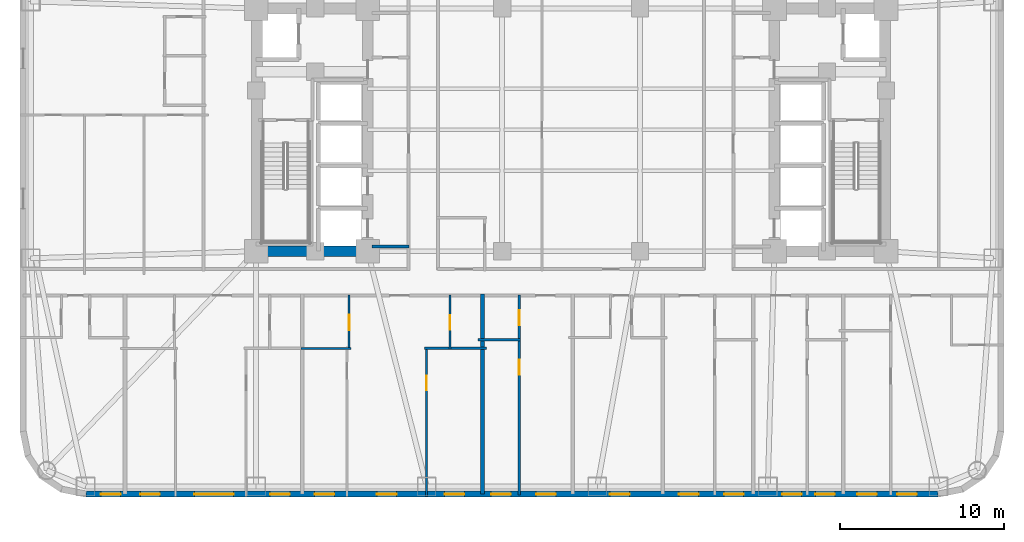
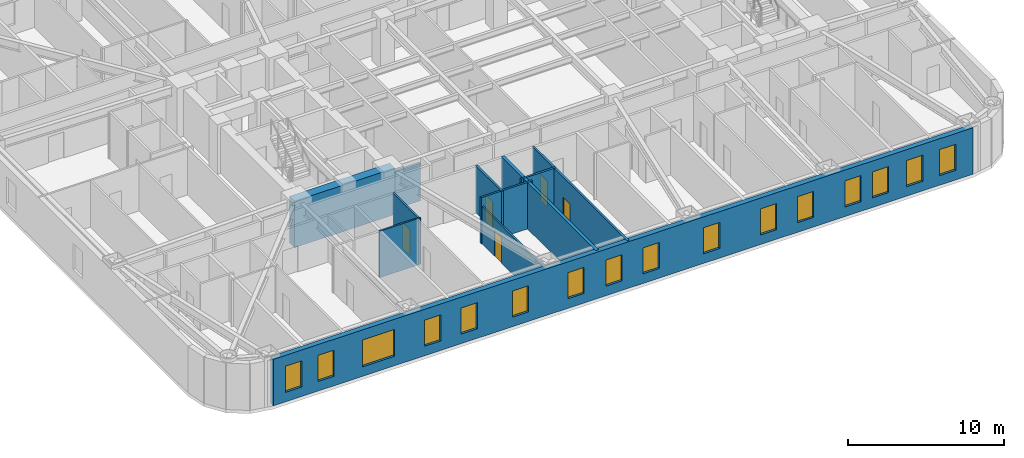
# One storey, part 3 of 11: 16 windows, 12 walls, 5 doors, 21 openings.
"""IFC4 building model written with IfcOpenShell, lengths in metres."""

from ifc_helpers import new_model, si_unit, direction, frame, frame_2d, origin, place, context, subcontext, project, spatial, rectangle, extrude, material, layer, layer_set, type_object, element, fill, save


model = new_model("IFC4")

# Units and contexts
model_context = context("Model", 3, precision=1e-05, world=origin(), true_north=direction((0.0, 1.0)))
body_context = subcontext(model_context, "Body", "Model", "MODEL_VIEW")
ifc_project = project(units=[si_unit("LENGTHUNIT", "METRE"), si_unit("AREAUNIT", "SQUARE_METRE"), si_unit("VOLUMEUNIT", "CUBIC_METRE"), si_unit("PLANEANGLEUNIT", "RADIAN"), si_unit("MASSUNIT", "GRAM", prefix="KILO")], contexts=[model_context])

# Site, building, storey
site_placement = place(None, origin())
site = spatial("IfcSite", under=ifc_project, at=site_placement, CompositionType="ELEMENT")
building_placement = place(site_placement, origin())
building = spatial("IfcBuilding", under=site, at=building_placement, Name="Voryun Gate Residences", CompositionType="ELEMENT")
storey_placement = place(building_placement, frame((0.0, 0.0, 45.5)))
storey = spatial("IfcBuildingStorey", under=building, at=storey_placement, Name="L10", CompositionType="ELEMENT", Elevation=45.5)

# Walls
ifc_material_1 = material(Name="Concrete C60/75", Category="concrete")
ifc_layer_1 = layer(ifc_material_1, 0.64990234375, Name="CW_CORE_650")
ifc_layer_set_1 = layer_set([ifc_layer_1], Name="Concrete C60/75")
wall_type_1 = type_object("IfcWallType", Name="CW_CORE_650", PredefinedType="SHEAR", material=ifc_layer_set_1)
wall_1_placement = place(storey_placement, frame((-19.52490234375, -7.39990234375, 0.0), z_axis=(0.0, 0.0, 1.0), x_axis=(1.0, 0.0, 0.0)))
element("IfcWall", 1, at=wall_1_placement, inside=storey, type_object=wall_type_1, Name="L10 Core shear wall CW-L10-WS", PredefinedType="SHEAR", context=body_context, shape_type="SweptSolid", body=[
    extrude(rectangle(XDim=7.449951171875, YDim=0.64990234375, at=frame_2d((3.72509765625, 0.0))), origin(), (0.0, 0.0, 1.0), 3.64990234375),
])
ifc_material_2 = material(Name="Gypsum acoustic fireboard")
ifc_layer_2 = layer(ifc_material_2, 0.179931640625, Name="W_CORR_RATED_180")
ifc_layer_set_2 = layer_set([ifc_layer_2], Name="Gypsum acoustic fireboard")
wall_type_2 = type_object("IfcWallType", Name="W_CORR_RATED_180", PredefinedType="PARTITIONING", material=ifc_layer_set_2)
wall_2_placement = place(storey_placement, frame((-12.14990234375, -7.1201171875, 0.0), z_axis=(0.0, 0.0, 1.0), x_axis=(1.0, 0.0, 0.0)))
element("IfcWall", 2, at=wall_2_placement, inside=storey, type_object=wall_type_2, Name="Partition wall WP-L10-PLBS-W", PredefinedType="PARTITIONING", context=body_context, shape_type="SweptSolid", body=[
    extrude(rectangle(XDim=2.27001953125, YDim=0.179931640625, at=frame_2d((1.135009765625, 0.0))), origin(), (0.0, 0.0, 1.0), 2.93994140625),
])

# Wall, openings, windows
ifc_material_3 = material(Name="Granite masonry", Category="masonry")
ifc_layer_3 = layer(ifc_material_3, 0.3798828125, Name="W_EXT_GRANITE_380")
ifc_layer_set_3 = layer_set([ifc_layer_3], Name="Granite masonry")
wall_type_3 = type_object("IfcWallType", Name="W_EXT_GRANITE_380", PredefinedType="ELEMENTEDWALL", material=ifc_layer_set_3)
wall_3_placement = place(storey_placement, frame((22.38134765625, -22.2099609375, 0.0), z_axis=(0.0, 0.0, 1.0), x_axis=(-1.0, 0.0, 0.0)))
wall_3 = element("IfcWall", 3, at=wall_3_placement, inside=storey, type_object=wall_type_3, Name="Exterior wall WEXT-L10-01", PredefinedType="ELEMENTEDWALL", context=body_context, shape_type="SweptSolid", body=[
    extrude(rectangle(XDim=51.962646484375, YDim=0.3798828125, at=frame_2d((25.9814453125, 0.0))), origin(), (0.0, 0.0, 1.0), 3.64990234375),
])
opening_1_placement = place(wall_3_placement, frame((42.9521484375, 0.0, 0.75)))
opening_1 = element("IfcOpeningElement", 4, at=opening_1_placement, cuts=wall_3, Name="Opening WN2", PredefinedType="OPENING", context=body_context, shape_type="SweptSolid", body=[
    extrude(rectangle(XDim=2.39990234375, YDim=2.10009765625, at=frame_2d((1.199951171875, 1.050048828125))), frame((0.0, 0.199951171875, 0.0), z_axis=(0.0, -1.0, 0.0), x_axis=(1.0, 0.0, 0.0)), (0.0, 0.0, 1.0), 0.39990234375),
])
opening_2_placement = place(wall_3_placement, frame((49.846923828125, 0.0, 0.75)))
opening_2 = element("IfcOpeningElement", 5, at=opening_2_placement, cuts=wall_3, Name="Opening WN6", PredefinedType="OPENING", context=body_context, shape_type="SweptSolid", body=[
    extrude(rectangle(XDim=1.199951171875, YDim=2.050048828125, at=frame_2d((0.60009765625, 1.02490234375))), frame((0.0, 0.199951171875, 0.0), z_axis=(0.0, -1.0, 0.0), x_axis=(1.0, 0.0, 0.0)), (0.0, 0.0, 1.0), 0.39990234375),
])
opening_3_placement = place(wall_3_placement, frame((47.4453125, 0.0, 0.75)))
opening_3 = element("IfcOpeningElement", 6, at=opening_3_placement, cuts=wall_3, Name="Opening WN6", PredefinedType="OPENING", context=body_context, shape_type="SweptSolid", body=[
    extrude(rectangle(XDim=1.199951171875, YDim=2.050048828125, at=frame_2d((0.60009765625, 1.02490234375))), frame((0.0, 0.199951171875, 0.0), z_axis=(0.0, -1.0, 0.0), x_axis=(1.0, 0.0, 0.0)), (0.0, 0.0, 1.0), 0.39990234375),
])
opening_4_placement = place(wall_3_placement, frame((39.5263671875, 0.0, 0.75)))
opening_4 = element("IfcOpeningElement", 7, at=opening_4_placement, cuts=wall_3, Name="Opening WN6", PredefinedType="OPENING", context=body_context, shape_type="SweptSolid", body=[
    extrude(rectangle(XDim=1.199951171875, YDim=2.050048828125, at=frame_2d((0.60009765625, 1.02490234375))), frame((0.0, 0.199951171875, 0.0), z_axis=(0.0, -1.0, 0.0), x_axis=(1.0, 0.0, 0.0)), (0.0, 0.0, 1.0), 0.39990234375),
])
opening_5_placement = place(wall_3_placement, frame((33.018310546875, 0.0, 0.75)))
opening_5 = element("IfcOpeningElement", 8, at=opening_5_placement, cuts=wall_3, Name="Opening WN6", PredefinedType="OPENING", context=body_context, shape_type="SweptSolid", body=[
    extrude(rectangle(XDim=1.199951171875, YDim=2.050048828125, at=frame_2d((0.60009765625, 1.02490234375))), frame((0.0, 0.199951171875, 0.0), z_axis=(0.0, -1.0, 0.0), x_axis=(1.0, 0.0, 0.0)), (0.0, 0.0, 1.0), 0.39990234375),
])
opening_6_placement = place(wall_3_placement, frame((36.813232421875, 0.0, 0.75)))
opening_6 = element("IfcOpeningElement", 9, at=opening_6_placement, cuts=wall_3, Name="Opening WN6", PredefinedType="OPENING", context=body_context, shape_type="SweptSolid", body=[
    extrude(rectangle(XDim=1.199951171875, YDim=2.050048828125, at=frame_2d((0.60009765625, 1.02490234375))), frame((0.0, 0.199951171875, 0.0), z_axis=(0.0, -1.0, 0.0), x_axis=(1.0, 0.0, 0.0)), (0.0, 0.0, 1.0), 0.39990234375),
])
opening_7_placement = place(wall_3_placement, frame((28.88623046875, 0.0, 0.75)))
opening_7 = element("IfcOpeningElement", 10, at=opening_7_placement, cuts=wall_3, Name="Opening WN6", PredefinedType="OPENING", context=body_context, shape_type="SweptSolid", body=[
    extrude(rectangle(XDim=1.199951171875, YDim=2.050048828125, at=frame_2d((0.60009765625, 1.02490234375))), frame((0.0, 0.199951171875, 0.0), z_axis=(0.0, -1.0, 0.0), x_axis=(1.0, 0.0, 0.0)), (0.0, 0.0, 1.0), 0.39990234375),
])
opening_8_placement = place(wall_3_placement, frame((23.306396484375, 0.0, 0.75)))
opening_8 = element("IfcOpeningElement", 11, at=opening_8_placement, cuts=wall_3, Name="Opening WN6", PredefinedType="OPENING", context=body_context, shape_type="SweptSolid", body=[
    extrude(rectangle(XDim=1.199951171875, YDim=2.050048828125, at=frame_2d((0.60009765625, 1.02490234375))), frame((0.0, 0.199951171875, 0.0), z_axis=(0.0, -1.0, 0.0), x_axis=(1.0, 0.0, 0.0)), (0.0, 0.0, 1.0), 0.39990234375),
])
opening_9_placement = place(wall_3_placement, frame((26.056396484375, 0.0, 0.75)))
opening_9 = element("IfcOpeningElement", 12, at=opening_9_placement, cuts=wall_3, Name="Opening WN6", PredefinedType="OPENING", context=body_context, shape_type="SweptSolid", body=[
    extrude(rectangle(XDim=1.199951171875, YDim=2.050048828125, at=frame_2d((0.60009765625, 1.02490234375))), frame((0.0, 0.199951171875, 0.0), z_axis=(0.0, -1.0, 0.0), x_axis=(1.0, 0.0, 0.0)), (0.0, 0.0, 1.0), 0.39990234375),
])
opening_10_placement = place(wall_3_placement, frame((18.811279296875, 0.0, 0.75)))
opening_10 = element("IfcOpeningElement", 13, at=opening_10_placement, cuts=wall_3, Name="Opening WN6", PredefinedType="OPENING", context=body_context, shape_type="SweptSolid", body=[
    extrude(rectangle(XDim=1.199951171875, YDim=2.050048828125, at=frame_2d((0.60009765625, 1.02490234375))), frame((0.0, 0.199951171875, 0.0), z_axis=(0.0, -1.0, 0.0), x_axis=(1.0, 0.0, 0.0)), (0.0, 0.0, 1.0), 0.39990234375),
])
opening_11_placement = place(wall_3_placement, frame((14.601806640625, 0.0, 0.75)))
opening_11 = element("IfcOpeningElement", 14, at=opening_11_placement, cuts=wall_3, Name="Opening WN6", PredefinedType="OPENING", context=body_context, shape_type="SweptSolid", body=[
    extrude(rectangle(XDim=1.199951171875, YDim=2.050048828125, at=frame_2d((0.60009765625, 1.02490234375))), frame((0.0, 0.199951171875, 0.0), z_axis=(0.0, -1.0, 0.0), x_axis=(1.0, 0.0, 0.0)), (0.0, 0.0, 1.0), 0.39990234375),
])
opening_12_placement = place(wall_3_placement, frame((11.851806640625, 0.0, 0.75)))
opening_12 = element("IfcOpeningElement", 15, at=opening_12_placement, cuts=wall_3, Name="Opening WN6", PredefinedType="OPENING", context=body_context, shape_type="SweptSolid", body=[
    extrude(rectangle(XDim=1.199951171875, YDim=2.050048828125, at=frame_2d((0.60009765625, 1.02490234375))), frame((0.0, 0.199951171875, 0.0), z_axis=(0.0, -1.0, 0.0), x_axis=(1.0, 0.0, 0.0)), (0.0, 0.0, 1.0), 0.39990234375),
])
opening_13_placement = place(wall_3_placement, frame((8.31640625, 0.0, 0.75)))
opening_13 = element("IfcOpeningElement", 16, at=opening_13_placement, cuts=wall_3, Name="Opening WN6", PredefinedType="OPENING", context=body_context, shape_type="SweptSolid", body=[
    extrude(rectangle(XDim=1.199951171875, YDim=2.050048828125, at=frame_2d((0.60009765625, 1.02490234375))), frame((0.0, 0.199951171875, 0.0), z_axis=(0.0, -1.0, 0.0), x_axis=(1.0, 0.0, 0.0)), (0.0, 0.0, 1.0), 0.39990234375),
])
opening_14_placement = place(wall_3_placement, frame((6.286376953125, 0.0, 0.75)))
opening_14 = element("IfcOpeningElement", 17, at=opening_14_placement, cuts=wall_3, Name="Opening WN6", PredefinedType="OPENING", context=body_context, shape_type="SweptSolid", body=[
    extrude(rectangle(XDim=1.199951171875, YDim=2.050048828125, at=frame_2d((0.60009765625, 1.02490234375))), frame((0.0, 0.199951171875, 0.0), z_axis=(0.0, -1.0, 0.0), x_axis=(1.0, 0.0, 0.0)), (0.0, 0.0, 1.0), 0.39990234375),
])
opening_15_placement = place(wall_3_placement, frame((3.73681640625, 0.0, 0.75)))
opening_15 = element("IfcOpeningElement", 18, at=opening_15_placement, cuts=wall_3, Name="Opening WN6", PredefinedType="OPENING", context=body_context, shape_type="SweptSolid", body=[
    extrude(rectangle(XDim=1.199951171875, YDim=2.050048828125, at=frame_2d((0.60009765625, 1.02490234375))), frame((0.0, 0.199951171875, 0.0), z_axis=(0.0, -1.0, 0.0), x_axis=(1.0, 0.0, 0.0)), (0.0, 0.0, 1.0), 0.39990234375),
])
opening_16_placement = place(wall_3_placement, frame((1.291015625, 0.0, 0.75)))
opening_16 = element("IfcOpeningElement", 19, at=opening_16_placement, cuts=wall_3, Name="Opening WN6", PredefinedType="OPENING", context=body_context, shape_type="SweptSolid", body=[
    extrude(rectangle(XDim=1.199951171875, YDim=2.050048828125, at=frame_2d((0.60009765625, 1.02490234375))), frame((0.0, 0.199951171875, 0.0), z_axis=(0.0, -1.0, 0.0), x_axis=(1.0, 0.0, 0.0)), (0.0, 0.0, 1.0), 0.39990234375),
])
ifc_material_4 = material(Name="Laminated low-E glass", Category="glass")
window_type_1 = type_object("IfcWindowType", Name="WN_POD_SLOT_1200", PartitioningType="SINGLE_PANEL", PredefinedType="WINDOW", material=ifc_material_4)
window_1_placement = place(opening_2_placement, origin())
window_1 = element("IfcWindow", 20, at=window_1_placement, inside=storey, type_object=window_type_1, Name="Window WN-L10-DWFIX-15", OverallHeight=2.050048828125, OverallWidth=1.199951171875, PartitioningType="SINGLE_PANEL", PredefinedType="WINDOW", context=body_context, shape_type="SweptSolid", body=[
    extrude(rectangle(XDim=1.199951171875, YDim=2.050048828125, at=frame_2d((0.60009765625, 1.02490234375))), frame((0.0, 0.030029296875, 0.0), z_axis=(0.0, -1.0, 0.0), x_axis=(1.0, 0.0, 0.0)), (0.0, 0.0, 1.0), 0.06005859375),
])
fill(opening_2, window_1)
window_2_placement = place(opening_3_placement, origin())
window_2 = element("IfcWindow", 21, at=window_2_placement, inside=storey, type_object=window_type_1, Name="Window WN-L10-DWFIX-16", OverallHeight=2.050048828125, OverallWidth=1.199951171875, PartitioningType="SINGLE_PANEL", PredefinedType="WINDOW", context=body_context, shape_type="SweptSolid", body=[
    extrude(rectangle(XDim=1.199951171875, YDim=2.050048828125, at=frame_2d((0.60009765625, 1.02490234375))), frame((0.0, 0.030029296875, 0.0), z_axis=(0.0, -1.0, 0.0), x_axis=(1.0, 0.0, 0.0)), (0.0, 0.0, 1.0), 0.06005859375),
])
fill(opening_3, window_2)
window_3_placement = place(opening_4_placement, origin())
window_3 = element("IfcWindow", 22, at=window_3_placement, inside=storey, type_object=window_type_1, Name="Window WN-L10-DWFIX-17", OverallHeight=2.050048828125, OverallWidth=1.199951171875, PartitioningType="SINGLE_PANEL", PredefinedType="WINDOW", context=body_context, shape_type="SweptSolid", body=[
    extrude(rectangle(XDim=1.199951171875, YDim=2.050048828125, at=frame_2d((0.60009765625, 1.02490234375))), frame((0.0, 0.030029296875, 0.0), z_axis=(0.0, -1.0, 0.0), x_axis=(1.0, 0.0, 0.0)), (0.0, 0.0, 1.0), 0.06005859375),
])
fill(opening_4, window_3)
window_4_placement = place(opening_5_placement, origin())
window_4 = element("IfcWindow", 23, at=window_4_placement, inside=storey, type_object=window_type_1, Name="Window WN-L10-DWFIX-18", OverallHeight=2.050048828125, OverallWidth=1.199951171875, PartitioningType="SINGLE_PANEL", PredefinedType="WINDOW", context=body_context, shape_type="SweptSolid", body=[
    extrude(rectangle(XDim=1.199951171875, YDim=2.050048828125, at=frame_2d((0.60009765625, 1.02490234375))), frame((0.0, 0.030029296875, 0.0), z_axis=(0.0, -1.0, 0.0), x_axis=(1.0, 0.0, 0.0)), (0.0, 0.0, 1.0), 0.06005859375),
])
fill(opening_5, window_4)
window_5_placement = place(opening_6_placement, origin())
window_5 = element("IfcWindow", 24, at=window_5_placement, inside=storey, type_object=window_type_1, Name="Window WN-L10-DWFIX-19", OverallHeight=2.050048828125, OverallWidth=1.199951171875, PartitioningType="SINGLE_PANEL", PredefinedType="WINDOW", context=body_context, shape_type="SweptSolid", body=[
    extrude(rectangle(XDim=1.199951171875, YDim=2.050048828125, at=frame_2d((0.60009765625, 1.02490234375))), frame((0.0, 0.030029296875, 0.0), z_axis=(0.0, -1.0, 0.0), x_axis=(1.0, 0.0, 0.0)), (0.0, 0.0, 1.0), 0.06005859375),
])
fill(opening_6, window_5)
window_6_placement = place(opening_7_placement, origin())
window_6 = element("IfcWindow", 25, at=window_6_placement, inside=storey, type_object=window_type_1, Name="Window WN-L10-DWFIX-20", OverallHeight=2.050048828125, OverallWidth=1.199951171875, PartitioningType="SINGLE_PANEL", PredefinedType="WINDOW", context=body_context, shape_type="SweptSolid", body=[
    extrude(rectangle(XDim=1.199951171875, YDim=2.050048828125, at=frame_2d((0.60009765625, 1.02490234375))), frame((0.0, 0.030029296875, 0.0), z_axis=(0.0, -1.0, 0.0), x_axis=(1.0, 0.0, 0.0)), (0.0, 0.0, 1.0), 0.06005859375),
])
fill(opening_7, window_6)
window_7_placement = place(opening_8_placement, origin())
window_7 = element("IfcWindow", 26, at=window_7_placement, inside=storey, type_object=window_type_1, Name="Window WN-L10-DWFIX-21", OverallHeight=2.050048828125, OverallWidth=1.199951171875, PartitioningType="SINGLE_PANEL", PredefinedType="WINDOW", context=body_context, shape_type="SweptSolid", body=[
    extrude(rectangle(XDim=1.199951171875, YDim=2.050048828125, at=frame_2d((0.60009765625, 1.02490234375))), frame((0.0, 0.030029296875, 0.0), z_axis=(0.0, -1.0, 0.0), x_axis=(1.0, 0.0, 0.0)), (0.0, 0.0, 1.0), 0.06005859375),
])
fill(opening_8, window_7)
window_8_placement = place(opening_9_placement, origin())
window_8 = element("IfcWindow", 27, at=window_8_placement, inside=storey, type_object=window_type_1, Name="Window WN-L10-DWFIX-22", OverallHeight=2.050048828125, OverallWidth=1.199951171875, PartitioningType="SINGLE_PANEL", PredefinedType="WINDOW", context=body_context, shape_type="SweptSolid", body=[
    extrude(rectangle(XDim=1.199951171875, YDim=2.050048828125, at=frame_2d((0.60009765625, 1.02490234375))), frame((0.0, 0.030029296875, 0.0), z_axis=(0.0, -1.0, 0.0), x_axis=(1.0, 0.0, 0.0)), (0.0, 0.0, 1.0), 0.06005859375),
])
fill(opening_9, window_8)
window_9_placement = place(opening_10_placement, origin())
window_9 = element("IfcWindow", 28, at=window_9_placement, inside=storey, type_object=window_type_1, Name="Window WN-L10-DWFIX-23", OverallHeight=2.050048828125, OverallWidth=1.199951171875, PartitioningType="SINGLE_PANEL", PredefinedType="WINDOW", context=body_context, shape_type="SweptSolid", body=[
    extrude(rectangle(XDim=1.199951171875, YDim=2.050048828125, at=frame_2d((0.60009765625, 1.02490234375))), frame((0.0, 0.030029296875, 0.0), z_axis=(0.0, -1.0, 0.0), x_axis=(1.0, 0.0, 0.0)), (0.0, 0.0, 1.0), 0.06005859375),
])
fill(opening_10, window_9)
window_10_placement = place(opening_11_placement, origin())
window_10 = element("IfcWindow", 29, at=window_10_placement, inside=storey, type_object=window_type_1, Name="Window WN-L10-DWFIX-24", OverallHeight=2.050048828125, OverallWidth=1.199951171875, PartitioningType="SINGLE_PANEL", PredefinedType="WINDOW", context=body_context, shape_type="SweptSolid", body=[
    extrude(rectangle(XDim=1.199951171875, YDim=2.050048828125, at=frame_2d((0.60009765625, 1.02490234375))), frame((0.0, 0.030029296875, 0.0), z_axis=(0.0, -1.0, 0.0), x_axis=(1.0, 0.0, 0.0)), (0.0, 0.0, 1.0), 0.06005859375),
])
fill(opening_11, window_10)
window_11_placement = place(opening_12_placement, origin())
window_11 = element("IfcWindow", 30, at=window_11_placement, inside=storey, type_object=window_type_1, Name="Window WN-L10-DWFIX-25", OverallHeight=2.050048828125, OverallWidth=1.199951171875, PartitioningType="SINGLE_PANEL", PredefinedType="WINDOW", context=body_context, shape_type="SweptSolid", body=[
    extrude(rectangle(XDim=1.199951171875, YDim=2.050048828125, at=frame_2d((0.60009765625, 1.02490234375))), frame((0.0, 0.030029296875, 0.0), z_axis=(0.0, -1.0, 0.0), x_axis=(1.0, 0.0, 0.0)), (0.0, 0.0, 1.0), 0.06005859375),
])
fill(opening_12, window_11)
window_12_placement = place(opening_13_placement, origin())
window_12 = element("IfcWindow", 31, at=window_12_placement, inside=storey, type_object=window_type_1, Name="Window WN-L10-DWFIX-26", OverallHeight=2.050048828125, OverallWidth=1.199951171875, PartitioningType="SINGLE_PANEL", PredefinedType="WINDOW", context=body_context, shape_type="SweptSolid", body=[
    extrude(rectangle(XDim=1.199951171875, YDim=2.050048828125, at=frame_2d((0.60009765625, 1.02490234375))), frame((0.0, 0.030029296875, 0.0), z_axis=(0.0, -1.0, 0.0), x_axis=(1.0, 0.0, 0.0)), (0.0, 0.0, 1.0), 0.06005859375),
])
fill(opening_13, window_12)
window_13_placement = place(opening_14_placement, origin())
window_13 = element("IfcWindow", 32, at=window_13_placement, inside=storey, type_object=window_type_1, Name="Window WN-L10-DWFIX-27", OverallHeight=2.050048828125, OverallWidth=1.199951171875, PartitioningType="SINGLE_PANEL", PredefinedType="WINDOW", context=body_context, shape_type="SweptSolid", body=[
    extrude(rectangle(XDim=1.199951171875, YDim=2.050048828125, at=frame_2d((0.60009765625, 1.02490234375))), frame((0.0, 0.030029296875, 0.0), z_axis=(0.0, -1.0, 0.0), x_axis=(1.0, 0.0, 0.0)), (0.0, 0.0, 1.0), 0.06005859375),
])
fill(opening_14, window_13)
window_14_placement = place(opening_15_placement, origin())
window_14 = element("IfcWindow", 33, at=window_14_placement, inside=storey, type_object=window_type_1, Name="Window WN-L10-DWFIX-28", OverallHeight=2.050048828125, OverallWidth=1.199951171875, PartitioningType="SINGLE_PANEL", PredefinedType="WINDOW", context=body_context, shape_type="SweptSolid", body=[
    extrude(rectangle(XDim=1.199951171875, YDim=2.050048828125, at=frame_2d((0.60009765625, 1.02490234375))), frame((0.0, 0.030029296875, 0.0), z_axis=(0.0, -1.0, 0.0), x_axis=(1.0, 0.0, 0.0)), (0.0, 0.0, 1.0), 0.06005859375),
])
fill(opening_15, window_14)
window_15_placement = place(opening_16_placement, origin())
window_15 = element("IfcWindow", 34, at=window_15_placement, inside=storey, type_object=window_type_1, Name="Window WN-L10-DWFIX-29", OverallHeight=2.050048828125, OverallWidth=1.199951171875, PartitioningType="SINGLE_PANEL", PredefinedType="WINDOW", context=body_context, shape_type="SweptSolid", body=[
    extrude(rectangle(XDim=1.199951171875, YDim=2.050048828125, at=frame_2d((0.60009765625, 1.02490234375))), frame((0.0, 0.030029296875, 0.0), z_axis=(0.0, -1.0, 0.0), x_axis=(1.0, 0.0, 0.0)), (0.0, 0.0, 1.0), 0.06005859375),
])
fill(opening_16, window_15)
ifc_material_5 = material(Name="Laminated low-E glass", Category="glass")
window_type_2 = type_object("IfcWindowType", Name="WN_RES_WIDE_2400", PartitioningType="SINGLE_PANEL", PredefinedType="WINDOW", material=ifc_material_5)
window_16_placement = place(opening_1_placement, origin())
window_16 = element("IfcWindow", 35, at=window_16_placement, inside=storey, type_object=window_type_2, Name="Window WN-WEXT-L10-01-03", OverallHeight=2.10009765625, OverallWidth=2.39990234375, PartitioningType="SINGLE_PANEL", PredefinedType="WINDOW", context=body_context, shape_type="SweptSolid", body=[
    extrude(rectangle(XDim=2.39990234375, YDim=2.10009765625, at=frame_2d((1.199951171875, 1.050048828125))), frame((0.0, 0.030029296875, 0.0), z_axis=(0.0, -1.0, 0.0), x_axis=(1.0, 0.0, 0.0)), (0.0, 0.0, 1.0), 0.06005859375),
])
fill(opening_1, window_16)

# Wall
ifc_material_6 = material(Name="Concrete C40/50", Category="concrete")
ifc_layer_4 = layer(ifc_material_6, 0.219970703125, Name="W_PARTY_ACOUSTIC_220")
ifc_layer_set_4 = layer_set([ifc_layer_4], Name="Concrete C40/50")
wall_type_4 = type_object("IfcWallType", Name="W_PARTY_ACOUSTIC_220", PredefinedType="PARTITIONING", material=ifc_layer_set_4)
wall_4_placement = place(storey_placement, frame((-5.39990234375, -22.2099609375, 0.0), z_axis=(0.0, 0.0, 1.0), x_axis=(0.0, 1.0, 0.0)))
element("IfcWall", 36, at=wall_4_placement, inside=storey, type_object=wall_type_4, Name="Partition wall WP-L10-SPTY-3", PredefinedType="PARTITIONING", context=body_context, shape_type="SweptSolid", body=[
    extrude(rectangle(XDim=12.18994140625, YDim=0.219970703125, at=frame_2d((6.094970703125, 0.0))), origin(), (0.0, 0.0, 1.0), 3.64990234375),
])

# Wall, opening, door
ifc_material_7 = material(Name="Gypsum acoustic partition")
ifc_layer_5 = layer(ifc_material_7, 0.125, Name="W_UNIT_PART_125")
ifc_layer_set_5 = layer_set([ifc_layer_5], Name="Gypsum acoustic partition")
wall_type_5 = type_object("IfcWallType", Name="W_UNIT_PART_125", PredefinedType="PARTITIONING", material=ifc_layer_set_5)
wall_5_placement = place(storey_placement, frame((-8.81005859375, -22.360107421875, 0.0), z_axis=(0.0, 0.0, 1.0), x_axis=(0.0, 1.0, 0.0)))
wall_5 = element("IfcWall", 37, at=wall_5_placement, inside=storey, type_object=wall_type_5, Name="Partition wall WP-L10-S3-OVR", PredefinedType="PARTITIONING", context=body_context, shape_type="SweptSolid", body=[
    extrude(rectangle(XDim=9.1201171875, YDim=0.125, at=frame_2d((4.56005859375, 0.0))), origin(), (0.0, 0.0, 1.0), 2.93994140625),
])
opening_17_placement = place(wall_5_placement, frame((6.481201171875, 0.0, 0.0)))
opening_17 = element("IfcOpeningElement", 38, at=opening_17_placement, cuts=wall_5, Name="Opening D-INT-2", PredefinedType="OPENING", context=body_context, shape_type="SweptSolid", body=[
    extrude(rectangle(XDim=0.89990234375, YDim=2.050048828125, at=frame_2d((0.449951171875, 1.02490234375))), frame((0.0, 0.072509765625, 0.0), z_axis=(0.0, -1.0, 0.0), x_axis=(1.0, 0.0, 0.0)), (0.0, 0.0, 1.0), 0.14501953125),
])
ifc_material_8 = material(Name="Architectural oak veneer")
door_type_1 = type_object("IfcDoorType", Name="DR_INT_BATH_900", OperationType="NOTDEFINED", PredefinedType="DOOR", material=ifc_material_8)
door_1_placement = place(opening_17_placement, origin())
door_1 = element("IfcDoor", 39, at=door_1_placement, inside=storey, type_object=door_type_1, Name="Door DR-L10-S3-DMB", OperationType="SINGLE_SWING_RIGHT", OverallHeight=2.050048828125, OverallWidth=0.89990234375, PredefinedType="DOOR", context=body_context, shape_type="SweptSolid", body=[
    extrude(rectangle(XDim=0.89990234375, YDim=2.050048828125, at=frame_2d((0.449951171875, 1.02490234375))), frame((0.0, 0.02490234375, 0.0), z_axis=(0.0, -1.0, 0.0), x_axis=(1.0, 0.0, 0.0)), (0.0, 0.0, 1.0), 0.050048828125),
])
fill(opening_17, door_1)

wall_6_placement = place(storey_placement, frame((-13.532958984375, -13.39990234375, 0.0), z_axis=(0.0, 0.0, 1.0), x_axis=(0.0, 1.0, 0.0)))
wall_6 = element("IfcWall", 40, at=wall_6_placement, inside=storey, type_object=wall_type_5, Name="Partition wall WP-L10-S3-IVK", PredefinedType="PARTITIONING", context=body_context, shape_type="SweptSolid", body=[
    extrude(rectangle(XDim=3.31982421875, YDim=0.125, at=frame_2d((1.659912109375, 0.0))), origin(), (0.0, 0.0, 1.0), 3.64990234375),
])
opening_18_placement = place(wall_6_placement, frame((1.18505859375, 0.0, 0.0)))
opening_18 = element("IfcOpeningElement", 41, at=opening_18_placement, cuts=wall_6, Name="Opening D-INT-1", PredefinedType="OPENING", context=body_context, shape_type="SweptSolid", body=[
    extrude(rectangle(XDim=0.949951171875, YDim=2.050048828125, at=frame_2d((0.47509765625, 1.02490234375))), frame((0.0, 0.072509765625, 0.0), z_axis=(0.0, -1.0, 0.0), x_axis=(1.0, 0.0, 0.0)), (0.0, 0.0, 1.0), 0.14501953125),
])
ifc_material_9 = material(Name="Architectural oak veneer")
door_type_2 = type_object("IfcDoorType", Name="DR_INT_ROOM_950", OperationType="NOTDEFINED", PredefinedType="DOOR", material=ifc_material_9)
door_2_placement = place(opening_18_placement, origin())
door_2 = element("IfcDoor", 42, at=door_2_placement, inside=storey, type_object=door_type_2, Name="Door DR-L10-S3-DK", OperationType="SINGLE_SWING_LEFT", OverallHeight=2.050048828125, OverallWidth=0.949951171875, PredefinedType="DOOR", context=body_context, shape_type="SweptSolid", body=[
    extrude(rectangle(XDim=0.949951171875, YDim=2.050048828125, at=frame_2d((0.47509765625, 1.02490234375))), frame((0.0, 0.02490234375, 0.0), z_axis=(0.0, -1.0, 0.0), x_axis=(1.0, 0.0, 0.0)), (0.0, 0.0, 1.0), 0.050048828125),
])
fill(opening_18, door_2)

# Walls
wall_7_placement = place(storey_placement, frame((-16.47509765625, -13.320068359375, 0.0), z_axis=(0.0, 0.0, 1.0), x_axis=(1.0, 0.0, 0.0)))
element("IfcWall", 43, at=wall_7_placement, inside=storey, type_object=wall_type_5, Name="Partition wall WP-L10-S3-HZK", PredefinedType="PARTITIONING", context=body_context, shape_type="SweptSolid", body=[
    extrude(rectangle(XDim=3.06201171875, YDim=0.125, at=frame_2d((1.531005859375, 0.0))), origin(), (0.0, 0.0, 1.0), 3.64990234375),
])
ifc_material_10 = material(Name="Gypsum moisture-resistant partition")
ifc_layer_6 = layer(ifc_material_10, 0.14990234375, Name="W_WET_PLUMB_150")
ifc_layer_set_6 = layer_set([ifc_layer_6], Name="Gypsum moisture-resistant partition")
wall_type_6 = type_object("IfcWallType", Name="W_WET_PLUMB_150", PredefinedType="PLUMBINGWALL", material=ifc_layer_set_6)
wall_8_placement = place(storey_placement, frame((-8.929931640625, -13.320068359375, 0.0), z_axis=(0.0, 0.0, 1.0), x_axis=(1.0, 0.0, 0.0)))
element("IfcWall", 44, at=wall_8_placement, inside=storey, type_object=wall_type_6, Name="Partition wall WP-L10-S3-HZB", PredefinedType="PLUMBINGWALL", context=body_context, shape_type="SweptSolid", body=[
    extrude(rectangle(XDim=3.7900390625, YDim=0.14990234375, at=frame_2d((1.89501953125, 0.0))), origin(), (0.0, 0.0, 1.0), 3.64990234375),
])

# Wall, opening, door
wall_9_placement = place(storey_placement, frame((-7.3798828125, -13.39990234375, 0.0), z_axis=(0.0, 0.0, 1.0), x_axis=(0.0, 1.0, 0.0)))
wall_9 = element("IfcWall", 45, at=wall_9_placement, inside=storey, type_object=wall_type_6, Name="Partition wall WP-L10-S3-IVB", PredefinedType="PLUMBINGWALL", context=body_context, shape_type="SweptSolid", body=[
    extrude(rectangle(XDim=3.31982421875, YDim=0.14990234375, at=frame_2d((1.659912109375, 0.0))), origin(), (0.0, 0.0, 1.0), 3.64990234375),
])
opening_19_placement = place(wall_9_placement, frame((1.2099609375, 0.0, 0.0)))
opening_19 = element("IfcOpeningElement", 46, at=opening_19_placement, cuts=wall_9, Name="Opening D-INT-2", PredefinedType="OPENING", context=body_context, shape_type="SweptSolid", body=[
    extrude(rectangle(XDim=0.89990234375, YDim=2.050048828125, at=frame_2d((0.449951171875, 1.02490234375))), frame((0.0, 0.0849609375, 0.0), z_axis=(0.0, -1.0, 0.0), x_axis=(1.0, 0.0, 0.0)), (0.0, 0.0, 1.0), 0.169921875),
])
door_3_placement = place(opening_19_placement, origin())
door_3 = element("IfcDoor", 47, at=door_3_placement, inside=storey, type_object=door_type_1, Name="Door DR-L10-S3-DB", OperationType="SINGLE_SWING_RIGHT", OverallHeight=2.050048828125, OverallWidth=0.89990234375, PredefinedType="DOOR", context=body_context, shape_type="SweptSolid", body=[
    extrude(rectangle(XDim=0.89990234375, YDim=2.050048828125, at=frame_2d((0.449951171875, 1.02490234375))), frame((0.0, 0.02490234375, 0.0), z_axis=(0.0, -1.0, 0.0), x_axis=(1.0, 0.0, 0.0)), (0.0, 0.0, 1.0), 0.050048828125),
])
fill(opening_19, door_3)

# Wall
wall_10_placement = place(storey_placement, frame((-5.659912109375, -12.800048828125, 0.0), z_axis=(0.0, 0.0, 1.0), x_axis=(1.0, 0.0, 0.0)))
element("IfcWall", 48, at=wall_10_placement, inside=storey, type_object=wall_type_6, Name="Partition wall WP-L10-S4-SKB", PredefinedType="PLUMBINGWALL", context=body_context, shape_type="SweptSolid", body=[
    extrude(rectangle(XDim=2.58984375, YDim=0.14990234375, at=frame_2d((1.294921875, 0.0))), origin(), (0.0, 0.0, 1.0), 3.64990234375),
])

# Wall, opening, door
wall_11_placement = place(storey_placement, frame((-3.14990234375, -22.257568359375, 0.0), z_axis=(0.0, 0.0, 1.0), x_axis=(0.0, 1.0, 0.0)))
wall_11 = element("IfcWall", 49, at=wall_11_placement, inside=storey, type_object=wall_type_6, Name="Partition wall WP-L10-S4-SVT1", PredefinedType="PLUMBINGWALL", context=body_context, shape_type="SweptSolid", body=[
    extrude(rectangle(XDim=9.49755859375, YDim=0.14990234375, at=frame_2d((4.748779296875, 0.0))), origin(), (0.0, 0.0, 1.0), 3.64990234375),
])
opening_20_placement = place(wall_11_placement, frame((7.337890625, 0.0, 0.0)))
opening_20 = element("IfcOpeningElement", 50, at=opening_20_placement, cuts=wall_11, Name="Opening D-INT-2", PredefinedType="OPENING", context=body_context, shape_type="SweptSolid", body=[
    extrude(rectangle(XDim=0.89990234375, YDim=2.050048828125, at=frame_2d((0.449951171875, 1.02490234375))), frame((0.0, 0.0849609375, 0.0), z_axis=(0.0, -1.0, 0.0), x_axis=(1.0, 0.0, 0.0)), (0.0, 0.0, 1.0), 0.169921875),
])
door_4_placement = place(opening_20_placement, origin())
door_4 = element("IfcDoor", 51, at=door_4_placement, inside=storey, type_object=door_type_1, Name="Door DR-L10-S4-DK", OperationType="SINGLE_SWING_LEFT", OverallHeight=2.050048828125, OverallWidth=0.89990234375, PredefinedType="DOOR", context=body_context, shape_type="SweptSolid", body=[
    extrude(rectangle(XDim=0.89990234375, YDim=2.050048828125, at=frame_2d((0.449951171875, 1.02490234375))), frame((0.0, 0.02490234375, 0.0), z_axis=(0.0, -1.0, 0.0), x_axis=(1.0, 0.0, 0.0)), (0.0, 0.0, 1.0), 0.050048828125),
])
fill(opening_20, door_4)

wall_12_placement = place(storey_placement, frame((-3.14990234375, -12.840087890625, 0.0), z_axis=(0.0, 0.0, 1.0), x_axis=(0.0, 1.0, 0.0)))
wall_12 = element("IfcWall", 52, at=wall_12_placement, inside=storey, type_object=wall_type_6, Name="Partition wall WP-L10-S4-SVT2", PredefinedType="PLUMBINGWALL", context=body_context, shape_type="SweptSolid", body=[
    extrude(rectangle(XDim=2.760009765625, YDim=0.14990234375, at=frame_2d((1.3798828125, 0.0))), origin(), (0.0, 0.0, 1.0), 3.64990234375),
])
opening_21_placement = place(wall_12_placement, frame((0.929931640625, 0.0, 0.0)))
opening_21 = element("IfcOpeningElement", 53, at=opening_21_placement, cuts=wall_12, Name="Opening D-INT-2", PredefinedType="OPENING", context=body_context, shape_type="SweptSolid", body=[
    extrude(rectangle(XDim=0.89990234375, YDim=2.050048828125, at=frame_2d((0.449951171875, 1.02490234375))), frame((0.0, 0.0849609375, 0.0), z_axis=(0.0, -1.0, 0.0), x_axis=(1.0, 0.0, 0.0)), (0.0, 0.0, 1.0), 0.169921875),
])
door_5_placement = place(opening_21_placement, origin())
door_5 = element("IfcDoor", 54, at=door_5_placement, inside=storey, type_object=door_type_1, Name="Door DR-L10-S4-DB", OperationType="SINGLE_SWING_RIGHT", OverallHeight=2.050048828125, OverallWidth=0.89990234375, PredefinedType="DOOR", context=body_context, shape_type="SweptSolid", body=[
    extrude(rectangle(XDim=0.89990234375, YDim=2.050048828125, at=frame_2d((0.449951171875, 1.02490234375))), frame((0.0, 0.02490234375, 0.0), z_axis=(0.0, -1.0, 0.0), x_axis=(1.0, 0.0, 0.0)), (0.0, 0.0, 1.0), 0.050048828125),
])
fill(opening_21, door_5)

save(model, "model.ifc")
